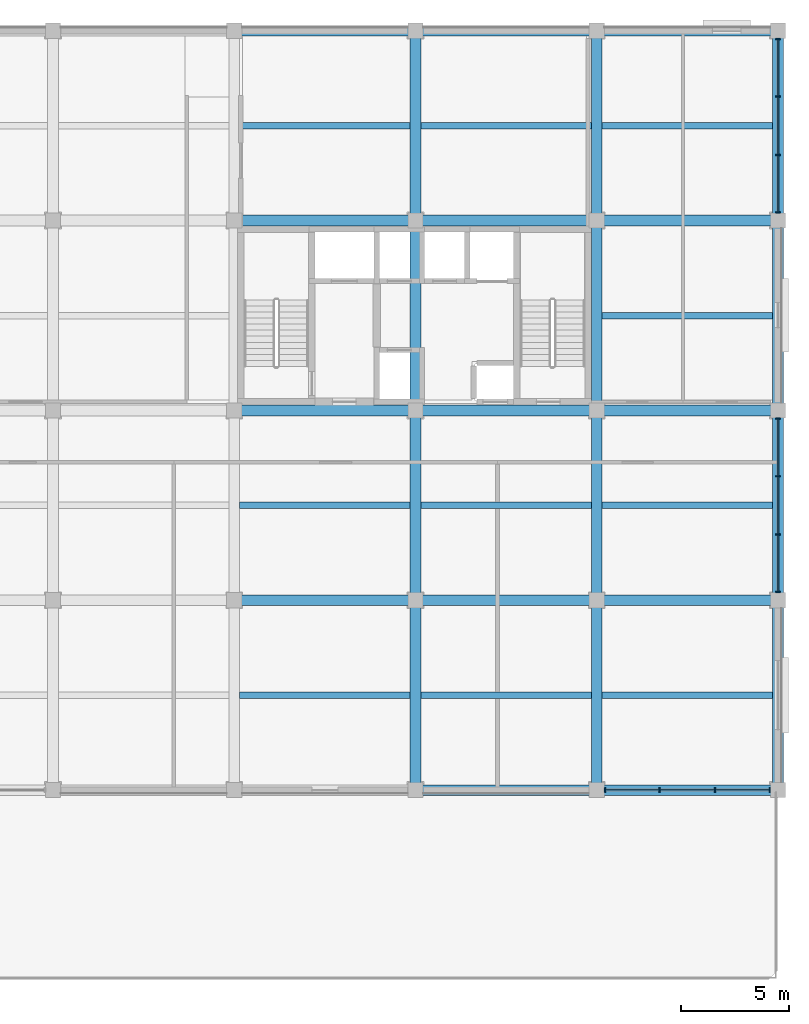
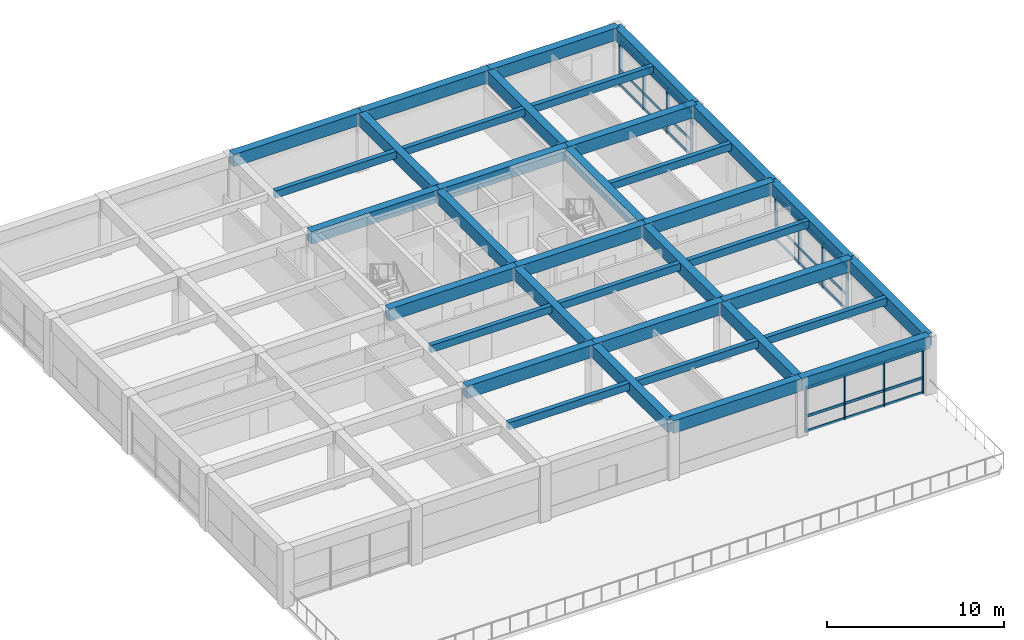
# One storey, part 3 of 8: 39 members, 36 beams, 3 elements without a shape of their own.
"""IFC4 building model written with IfcOpenShell, lengths in metres."""

import ifcopenshell
import ifcopenshell.guid

model = None  # the IFC model being written
_history = None  # IfcOwnerHistory: only IFC2X3 demands one
_inside = {}  # id of a spatial element -> (the spatial element, [elements in it])
_under = {}  # id of a project, library or spatial element -> (it, [spatial elements below it])
_declared = {}  # id of a project -> (the project, [libraries it declares])
_typed = {}  # id of a type object -> (the type object, [elements of that type])
_made_of = {}  # id of a material, layer set ... -> (it, [elements and type objects made of it])


def new_model(schema):
    """Start an empty IFC model of exactly this schema.

    Asked for "IFC4X3", IfcOpenShell would pick the latest addendum, in which some entities
    have other attributes; the version numbers below select the first issue.
    IFC2X3 requires an IfcOwnerHistory on every rooted entity: one is made here for all.
    """
    global model, _history
    if schema == "IFC4X3":
        model = ifcopenshell.file(schema_version=(4, 3, 0, 0))
    else:
        model = ifcopenshell.file(schema=schema)
    _inside.clear()
    _under.clear()
    _declared.clear()
    _typed.clear()
    _made_of.clear()
    _history = None
    if model.schema == "IFC2X3":
        org = make("IfcOrganization", Name="unknown")
        user = make(
            "IfcPersonAndOrganization",
            ThePerson=make("IfcPerson", FamilyName="unknown"),
            TheOrganization=org,
        )
        app = make(
            "IfcApplication",
            ApplicationDeveloper=org,
            Version="unknown",
            ApplicationFullName="unknown",
            ApplicationIdentifier="unknown",
        )
        _history = make(
            "IfcOwnerHistory",
            OwningUser=user,
            OwningApplication=app,
            ChangeAction="ADDED",
            CreationDate=0,
        )
    return model


def make(cls, **values):
    """One entity of the class cls with the attributes given. An attribute that is None is left unset."""
    return model.create_entity(
        cls, **{name: value for name, value in values.items() if value is not None}
    )


def rooted(cls, **values):
    """An entity with a GlobalId (a new one), such as an element, a storey or a relation."""
    return make(cls, GlobalId=ifcopenshell.guid.new(), OwnerHistory=_history, **values)


def si_unit(unit_type, name, prefix=None):
    """IfcSIUnit, for example si_unit("LENGTHUNIT", "METRE", prefix="MILLI")."""
    return make("IfcSIUnit", UnitType=unit_type, Prefix=prefix, Name=name)


def assignment(units):
    """IfcUnitAssignment: the units of a project."""
    return None if units is None else make("IfcUnitAssignment", Units=units)


def point(xyz):
    """IfcCartesianPoint."""
    return None if xyz is None else make("IfcCartesianPoint", Coordinates=xyz)


def direction(xyz):
    """IfcDirection."""
    return None if xyz is None else make("IfcDirection", DirectionRatios=xyz)


def frame(location, z_axis=None, x_axis=None):
    """IfcAxis2Placement3D, a coordinate frame: its origin and axes. An axis left out is left unset."""
    return make(
        "IfcAxis2Placement3D",
        Location=point(location),
        Axis=direction(z_axis),
        RefDirection=direction(x_axis),
    )


def frame_2d(location, x_axis=None):
    """IfcAxis2Placement2D, a coordinate frame in the plane: its origin and x axis."""
    return make(
        "IfcAxis2Placement2D", Location=point(location), RefDirection=direction(x_axis)
    )


def origin():
    """The frame at (0, 0, 0) with its axes left unset."""
    return frame((0.0, 0.0, 0.0))


def origin_2d():
    """The frame at (0, 0) in the plane with its x axis left unset."""
    return frame_2d((0.0, 0.0))


def place(relative_to, where):
    """IfcLocalPlacement: puts the frame where relative to a parent placement (None: the world)."""
    return make(
        "IfcLocalPlacement", PlacementRelTo=relative_to, RelativePlacement=where
    )


def context(
    kind, dimensions, precision=None, world=None, true_north=None, identifier=None
):
    """IfcGeometricRepresentationContext, for example the 3D "Model" context."""
    return make(
        "IfcGeometricRepresentationContext",
        ContextIdentifier=identifier,
        ContextType=kind,
        CoordinateSpaceDimension=dimensions,
        Precision=precision,
        WorldCoordinateSystem=world,
        TrueNorth=true_north,
    )


def subcontext(parent, identifier, kind, view, scale=None):
    """IfcGeometricRepresentationSubContext, for example "Body" below "Model"."""
    return make(
        "IfcGeometricRepresentationSubContext",
        ContextIdentifier=identifier,
        ContextType=kind,
        ParentContext=parent,
        TargetScale=scale,
        TargetView=view,
    )


def project(units=None, contexts=None):
    """IfcProject with its units and contexts."""
    return rooted(
        "IfcProject",
        Name="project",
        RepresentationContexts=contexts,
        UnitsInContext=assignment(units),
    )


def spatial(cls, under=None, at=None, **own):
    """A site, building, storey or space (cls), placed at a placement, below another one or the project."""
    s = rooted(cls, ObjectPlacement=at, **own)
    if under is not None:
        _under.setdefault(under.id(), (under, []))[1].append(s)
    return s


def profile(cls, at=None, kind="AREA", **sizes):
    """A parametric profile (cls). Its sizes go by their IFC names, for example OverallWidth=200.0."""
    return make(cls, ProfileType=kind, Position=at, **sizes)


def rectangle(**sizes):
    """IfcRectangleProfileDef."""
    return profile("IfcRectangleProfileDef", **sizes)


def extrude(swept, where, along, depth):
    """IfcExtrudedAreaSolid: the profile swept, set in the frame where, extruded along a direction by depth."""
    return make(
        "IfcExtrudedAreaSolid",
        SweptArea=swept,
        Position=where,
        ExtrudedDirection=direction(along),
        Depth=depth,
    )


def shape(context_of_items, identifier, shape_type, items):
    """IfcShapeRepresentation: the items that make up one representation, for example the "Body"."""
    return make(
        "IfcShapeRepresentation",
        ContextOfItems=context_of_items,
        RepresentationIdentifier=identifier,
        RepresentationType=shape_type,
        Items=items,
    )


def material(Name=None, Category=None):
    """IfcMaterial."""
    return make("IfcMaterial", Name=Name, Category=Category)


def material_profile(
    of_material, cross_section, Name=None, Category=None, Priority=None
):
    """IfcMaterialProfile: a cross section and its material."""
    return make(
        "IfcMaterialProfile",
        Name=Name,
        Material=of_material,
        Profile=cross_section,
        Priority=Priority,
        Category=Category,
    )


def profile_set(profiles, Name=None, composite=None):
    """IfcMaterialProfileSet."""
    return make(
        "IfcMaterialProfileSet",
        Name=Name,
        MaterialProfiles=profiles,
        CompositeProfile=composite,
    )


def made_of(thing, what):
    """Note that an element or type object is made of a material, layer set ...; save() writes the relation."""
    if what is not None:
        _made_of.setdefault(what.id(), (what, []))[1].append(thing)
    return thing


def type_object(cls, material=None, **own):
    """A type object (cls), such as IfcWallType, which elements share."""
    return made_of(rooted(cls, **own), material)


def element(
    cls,
    number,
    at=None,
    inside=None,
    cuts=None,
    type_object=None,
    material=None,
    context=None,
    identifier="Body",
    shape_type=None,
    held_by="IfcProductDefinitionShape",
    body=None,
    shapes=None,
    **own,
):
    """One element of the class cls, such as IfcWall. Its Tag is "e" and its number.

    at: its placement. inside: the storey or other place that contains it. cuts: it is an
    opening in that element (IfcRelVoidsElement). A single representation is given by context,
    identifier, shape_type and body (its items); several are given by shapes. held_by: the class
    of the entity that holds the representations. save() writes the other relations.
    """
    e = rooted(cls, Tag="e%d" % number, ObjectPlacement=at, **own)
    if body is not None:
        shapes = [shape(context, identifier, shape_type, body)]
    if shapes is not None:
        e.Representation = make(held_by, Representations=shapes)
    if inside is not None:
        _inside.setdefault(inside.id(), (inside, []))[1].append(e)
    if cuts is not None:
        rooted(
            "IfcRelVoidsElement", RelatingBuildingElement=cuts, RelatedOpeningElement=e
        )
    if type_object is not None:
        _typed.setdefault(type_object.id(), (type_object, []))[1].append(e)
    return made_of(e, material)


def aggregate(whole, parts):
    """IfcRelAggregates: a whole, such as a stair, and the parts it consists of."""
    return rooted("IfcRelAggregates", RelatingObject=whole, RelatedObjects=parts)


def save(model, path):
    """Write the relations noted so far, then the file.

    IfcRelAggregates (storeys below a building ...), IfcRelContainedInSpatialStructure (elements
    in a storey), IfcRelDefinesByType, IfcRelAssociatesMaterial and IfcRelDeclares: one each for
    every whole, place, type object, material and project.
    """
    for whole, parts in _under.values():
        aggregate(whole, parts)
    for where, things in _inside.values():
        rooted(
            "IfcRelContainedInSpatialStructure",
            RelatedElements=things,
            RelatingStructure=where,
        )
    for kind, things in _typed.values():
        rooted("IfcRelDefinesByType", RelatedObjects=things, RelatingType=kind)
    for what, things in _made_of.values():
        rooted("IfcRelAssociatesMaterial", RelatedObjects=things, RelatingMaterial=what)
    for by, libraries in _declared.values():
        rooted("IfcRelDeclares", RelatingContext=by, RelatedDefinitions=libraries)
    model.write(path)


model = new_model("IFC4")

# Units and contexts
model_context = context("Model", 3, precision=1e-05, world=origin(), true_north=direction((0.0, 1.0)))
body_context = subcontext(model_context, "Body", "Model", "MODEL_VIEW")
ifc_project = project(units=[si_unit("LENGTHUNIT", "METRE"), si_unit("AREAUNIT", "SQUARE_METRE"), si_unit("VOLUMEUNIT", "CUBIC_METRE"), si_unit("PLANEANGLEUNIT", "RADIAN"), si_unit("MASSUNIT", "GRAM", prefix="KILO")], contexts=[model_context])

# Site, building, storey
site_placement = place(None, origin())
site = spatial("IfcSite", under=ifc_project, at=site_placement, CompositionType="ELEMENT")
building_placement = place(site_placement, origin())
building = spatial("IfcBuilding", under=site, at=building_placement, Name="Kemercrest Conservatory and Botanical Centre", CompositionType="ELEMENT")
storey_placement = place(building_placement, frame((0.0, 0.0, 24.800048828125)))
storey = spatial("IfcBuildingStorey", under=building, at=storey_placement, Name="L06", CompositionType="ELEMENT", Elevation=24.800048828125)

# Beams
ifc_material_1 = material(Name="Concrete C50/60", Category="concrete")
ifc_material_profile_1 = material_profile(ifc_material_1, rectangle(XDim=0.5, YDim=0.85009765625, at=origin_2d()), Name="RC 500x850")
ifc_profile_set_1 = profile_set([ifc_material_profile_1], Name="Concrete C50/60")
beam_type_1 = type_object("IfcBeamType", Name="BM-RC85", PredefinedType="BEAM", material=ifc_profile_set_1)
beam_1_placement = place(storey_placement, frame((150.800048828125, 96.0, 3.574951171875), z_axis=(1.0, 0.0, 0.0), x_axis=(0.0, 1.0, 0.0)))
element("IfcBeam", 1, at=beam_1_placement, inside=storey, type_object=beam_type_1, Name="V4-L07 beam BM-RC85 L/18-19", PredefinedType="BEAM", context=body_context, shape_type="SweptSolid", body=[
    extrude(rectangle(XDim=0.5, YDim=0.85009765625, at=origin_2d()), origin(), (0.0, 0.0, 1.0), 8.39990234375),
])
beam_2_placement = place(storey_placement, frame((159.199951171875, 96.0, 3.574951171875), z_axis=(1.0, 0.0, 0.0), x_axis=(0.0, 1.0, 0.0)))
element("IfcBeam", 2, at=beam_2_placement, inside=storey, type_object=beam_type_1, Name="V4-L07 beam BM-RC85 L/19-20", PredefinedType="BEAM", context=body_context, shape_type="SweptSolid", body=[
    extrude(rectangle(XDim=0.5, YDim=0.85009765625, at=origin_2d()), origin(), (0.0, 0.0, 1.0), 8.400146484375),
])
for number, where, z_axis, x_axis, name in (
    (3, (167.60009765625, 96.0, 3.574951171875), (1.0, 0.0, 0.0), (0.0, 1.0, 0.0), "V4-L07 beam BM-RC85 L/20-21"),
    (4, (150.800048828125, 104.800048828125, 3.574951171875), (1.0, 0.0, 0.0), (0.0, 1.0, 0.0), "V4-L07 beam BM-RC85 M/18-19"),
):
    element("IfcBeam", number, at=place(storey_placement, frame(where, z_axis=z_axis, x_axis=x_axis)), inside=storey, type_object=beam_type_1, Name=name, PredefinedType="BEAM", context=body_context, shape_type="SweptSolid", body=[
        extrude(rectangle(XDim=0.5, YDim=0.85009765625, at=origin_2d()), origin(), (0.0, 0.0, 1.0), 8.39990234375),
    ])
beam_3_placement = place(storey_placement, frame((159.199951171875, 104.800048828125, 3.574951171875), z_axis=(1.0, 0.0, 0.0), x_axis=(0.0, 1.0, 0.0)))
element("IfcBeam", 5, at=beam_3_placement, inside=storey, type_object=beam_type_1, Name="V4-L07 beam BM-RC85 M/19-20", PredefinedType="BEAM", context=body_context, shape_type="SweptSolid", body=[
    extrude(rectangle(XDim=0.5, YDim=0.85009765625, at=origin_2d()), origin(), (0.0, 0.0, 1.0), 8.400146484375),
])
for number, where, z_axis, x_axis, name in (
    (6, (167.60009765625, 104.800048828125, 3.574951171875), (1.0, 0.0, 0.0), (0.0, 1.0, 0.0), "V4-L07 beam BM-RC85 M/20-21"),
    (7, (150.800048828125, 113.60009765625, 3.574951171875), (1.0, 0.0, 0.0), (0.0, 1.0, 0.0), "V4-L07 beam BM-RC85 N/18-19"),
):
    element("IfcBeam", number, at=place(storey_placement, frame(where, z_axis=z_axis, x_axis=x_axis)), inside=storey, type_object=beam_type_1, Name=name, PredefinedType="BEAM", context=body_context, shape_type="SweptSolid", body=[
        extrude(rectangle(XDim=0.5, YDim=0.85009765625, at=origin_2d()), origin(), (0.0, 0.0, 1.0), 8.39990234375),
    ])
beam_4_placement = place(storey_placement, frame((159.199951171875, 113.60009765625, 3.574951171875), z_axis=(1.0, 0.0, 0.0), x_axis=(0.0, 1.0, 0.0)))
element("IfcBeam", 8, at=beam_4_placement, inside=storey, type_object=beam_type_1, Name="V4-L07 beam BM-RC85 N/19-20", PredefinedType="BEAM", context=body_context, shape_type="SweptSolid", body=[
    extrude(rectangle(XDim=0.5, YDim=0.85009765625, at=origin_2d()), origin(), (0.0, 0.0, 1.0), 8.400146484375),
])
beam_5_placement = place(storey_placement, frame((167.60009765625, 113.60009765625, 3.574951171875), z_axis=(1.0, 0.0, 0.0), x_axis=(0.0, 1.0, 0.0)))
element("IfcBeam", 9, at=beam_5_placement, inside=storey, type_object=beam_type_1, Name="V4-L07 beam BM-RC85 N/20-21", PredefinedType="BEAM", context=body_context, shape_type="SweptSolid", body=[
    extrude(rectangle(XDim=0.5, YDim=0.85009765625, at=origin_2d()), origin(), (0.0, 0.0, 1.0), 8.39990234375),
])
for number, where, z_axis, x_axis, name in (
    (10, (159.199951171875, 87.199951171875, 3.574951171875), (0.0, 1.0, 0.0), (-1.0, 0.0, 0.0), "V4-L07 beam BM-RC85 19/K-L"),
    (11, (159.199951171875, 96.0, 3.574951171875), (0.0, 1.0, 0.0), (-1.0, 0.0, 0.0), "V4-L07 beam BM-RC85 19/L-M"),
    (12, (159.199951171875, 104.800048828125, 3.574951171875), (0.0, 1.0, 0.0), (-1.0, 0.0, 0.0), "V4-L07 beam BM-RC85 19/M-N"),
):
    element("IfcBeam", number, at=place(storey_placement, frame(where, z_axis=z_axis, x_axis=x_axis)), inside=storey, type_object=beam_type_1, Name=name, PredefinedType="BEAM", context=body_context, shape_type="SweptSolid", body=[
        extrude(rectangle(XDim=0.5, YDim=0.85009765625, at=origin_2d()), origin(), (0.0, 0.0, 1.0), 8.800048828125),
    ])
beam_6_placement = place(storey_placement, frame((159.199951171875, 113.60009765625, 3.574951171875), z_axis=(0.0, 1.0, 0.0), x_axis=(-1.0, 0.0, 0.0)))
element("IfcBeam", 13, at=beam_6_placement, inside=storey, type_object=beam_type_1, Name="V4-L07 beam BM-RC85 19/N-P", PredefinedType="BEAM", context=body_context, shape_type="SweptSolid", body=[
    extrude(rectangle(XDim=0.5, YDim=0.85009765625, at=origin_2d()), origin(), (0.0, 0.0, 1.0), 8.7998046875),
])
for number, where, z_axis, x_axis, name in (
    (14, (167.60009765625, 87.199951171875, 3.574951171875), (0.0, 1.0, 0.0), (-1.0, 0.0, 0.0), "V4-L07 beam BM-RC85 20/K-L"),
    (15, (167.60009765625, 96.0, 3.574951171875), (0.0, 1.0, 0.0), (-1.0, 0.0, 0.0), "V4-L07 beam BM-RC85 20/L-M"),
    (16, (167.60009765625, 104.800048828125, 3.574951171875), (0.0, 1.0, 0.0), (-1.0, 0.0, 0.0), "V4-L07 beam BM-RC85 20/M-N"),
):
    element("IfcBeam", number, at=place(storey_placement, frame(where, z_axis=z_axis, x_axis=x_axis)), inside=storey, type_object=beam_type_1, Name=name, PredefinedType="BEAM", context=body_context, shape_type="SweptSolid", body=[
        extrude(rectangle(XDim=0.5, YDim=0.85009765625, at=origin_2d()), origin(), (0.0, 0.0, 1.0), 8.800048828125),
    ])
beam_7_placement = place(storey_placement, frame((167.60009765625, 113.60009765625, 3.574951171875), z_axis=(0.0, 1.0, 0.0), x_axis=(-1.0, 0.0, 0.0)))
element("IfcBeam", 17, at=beam_7_placement, inside=storey, type_object=beam_type_1, Name="V4-L07 beam BM-RC85 20/N-P", PredefinedType="BEAM", context=body_context, shape_type="SweptSolid", body=[
    extrude(rectangle(XDim=0.5, YDim=0.85009765625, at=origin_2d()), origin(), (0.0, 0.0, 1.0), 8.7998046875),
])

# Curtain wall, members
ifc_material_2 = material(Name="Thermally broken aluminium and triple low-e glazing", Category="aluminium")
curtain_wall_type_1 = type_object("IfcCurtainWallType", Name="CW-24", PredefinedType="USERDEFINED", material=ifc_material_2)
curtain_wall_1_placement = place(storey_placement, origin())
curtain_wall_1 = element("IfcCurtainWall", 18, at=curtain_wall_1_placement, inside=storey, type_object=curtain_wall_type_1, Name="Unitised curtain wall CW-24 (CW:L06:V4-083)", ObjectType="UNITISED CURTAIN WALL", PredefinedType="USERDEFINED")
ifc_material_3 = material(Name="Thermally broken anodized aluminium 6063-T6", Category="aluminium")
ifc_material_profile_2 = material_profile(ifc_material_3, rectangle(XDim=0.199951171875, YDim=0.06494140625, at=origin_2d()), Name="AL MULLION 65x200")
ifc_profile_set_2 = profile_set([ifc_material_profile_2], Name="Thermally broken anodized aluminium 6063-T6")
member_type_1 = type_object("IfcMemberType", Name="CW-M200", PredefinedType="MULLION", material=ifc_profile_set_2)
member_1_placement = place(storey_placement, frame((167.9775390625, 87.199951171875, 0.0), z_axis=(0.0, 0.0, 1.0), x_axis=(0.0, 1.0, 0.0)))
member_1 = element("IfcMember", 19, at=member_1_placement, type_object=member_type_1, Name="CW-24 mullion 1", PredefinedType="MULLION", context=body_context, shape_type="SweptSolid", body=[
    extrude(rectangle(XDim=0.199951171875, YDim=0.06494140625, at=origin_2d()), origin(), (0.0, 0.0, 1.0), 3.155029296875),
])
member_2_placement = place(storey_placement, frame((170.514892578125, 87.199951171875, 0.0), z_axis=(0.0, 0.0, 1.0), x_axis=(0.0, 1.0, 0.0)))
member_2 = element("IfcMember", 20, at=member_2_placement, type_object=member_type_1, Name="CW-24 mullion 2", PredefinedType="MULLION", context=body_context, shape_type="SweptSolid", body=[
    extrude(rectangle(XDim=0.199951171875, YDim=0.06494140625, at=origin_2d()), origin(), (0.0, 0.0, 1.0), 3.155029296875),
])
member_3_placement = place(storey_placement, frame((173.0849609375, 87.199951171875, 0.0), z_axis=(0.0, 0.0, 1.0), x_axis=(0.0, 1.0, 0.0)))
member_3 = element("IfcMember", 21, at=member_3_placement, type_object=member_type_1, Name="CW-24 mullion 3", PredefinedType="MULLION", context=body_context, shape_type="SweptSolid", body=[
    extrude(rectangle(XDim=0.199951171875, YDim=0.06494140625, at=origin_2d()), origin(), (0.0, 0.0, 1.0), 3.155029296875),
])
member_4_placement = place(storey_placement, frame((175.62255859375, 87.199951171875, 0.0), z_axis=(0.0, 0.0, 1.0), x_axis=(0.0, 1.0, 0.0)))
member_4 = element("IfcMember", 22, at=member_4_placement, type_object=member_type_1, Name="CW-24 mullion 4", PredefinedType="MULLION", context=body_context, shape_type="SweptSolid", body=[
    extrude(rectangle(XDim=0.199951171875, YDim=0.06494140625, at=origin_2d()), origin(), (0.0, 0.0, 1.0), 3.155029296875),
])

curtain_wall_type_2 = type_object("IfcCurtainWallType", Name="CW-25", PredefinedType="USERDEFINED", material=ifc_material_2)
curtain_wall_2_placement = place(storey_placement, origin())
curtain_wall_2 = element("IfcCurtainWall", 23, at=curtain_wall_2_placement, inside=storey, type_object=curtain_wall_type_2, Name="Unitised curtain wall CW-25 (CW:L06:V4-084)", ObjectType="UNITISED CURTAIN WALL", PredefinedType="USERDEFINED")
member_5_placement = place(storey_placement, frame((176.0, 96.37744140625, 0.0), z_axis=(0.0, 0.0, 1.0), x_axis=(-1.0, 0.0, 0.0)))
member_5 = element("IfcMember", 24, at=member_5_placement, type_object=member_type_1, Name="CW-25 mullion 1", PredefinedType="MULLION", context=body_context, shape_type="SweptSolid", body=[
    extrude(rectangle(XDim=0.199951171875, YDim=0.06494140625, at=origin_2d()), origin(), (0.0, 0.0, 1.0), 3.155029296875),
])
member_6_placement = place(storey_placement, frame((176.0, 99.04833984375, 0.0), z_axis=(0.0, 0.0, 1.0), x_axis=(-1.0, 0.0, 0.0)))
member_6 = element("IfcMember", 25, at=member_6_placement, type_object=member_type_1, Name="CW-25 mullion 2", PredefinedType="MULLION", context=body_context, shape_type="SweptSolid", body=[
    extrude(rectangle(XDim=0.199951171875, YDim=0.06494140625, at=origin_2d()), origin(), (0.0, 0.0, 1.0), 3.155029296875),
])
member_7_placement = place(storey_placement, frame((176.0, 101.751708984375, 0.0), z_axis=(0.0, 0.0, 1.0), x_axis=(-1.0, 0.0, 0.0)))
member_7 = element("IfcMember", 26, at=member_7_placement, type_object=member_type_1, Name="CW-25 mullion 3", PredefinedType="MULLION", context=body_context, shape_type="SweptSolid", body=[
    extrude(rectangle(XDim=0.199951171875, YDim=0.06494140625, at=origin_2d()), origin(), (0.0, 0.0, 1.0), 3.155029296875),
])
member_8_placement = place(storey_placement, frame((176.0, 104.422607421875, 0.0), z_axis=(0.0, 0.0, 1.0), x_axis=(-1.0, 0.0, 0.0)))
member_8 = element("IfcMember", 27, at=member_8_placement, type_object=member_type_1, Name="CW-25 mullion 4", PredefinedType="MULLION", context=body_context, shape_type="SweptSolid", body=[
    extrude(rectangle(XDim=0.199951171875, YDim=0.06494140625, at=origin_2d()), origin(), (0.0, 0.0, 1.0), 3.155029296875),
])

curtain_wall_type_3 = type_object("IfcCurtainWallType", Name="CW-26", PredefinedType="USERDEFINED", material=ifc_material_2)
curtain_wall_3_placement = place(storey_placement, origin())
curtain_wall_3 = element("IfcCurtainWall", 28, at=curtain_wall_3_placement, inside=storey, type_object=curtain_wall_type_3, Name="Unitised curtain wall CW-26 (CW:L06:V4-085)", ObjectType="UNITISED CURTAIN WALL", PredefinedType="USERDEFINED")
member_9_placement = place(storey_placement, frame((176.0, 113.9775390625, 0.0), z_axis=(0.0, 0.0, 1.0), x_axis=(-1.0, 0.0, 0.0)))
member_9 = element("IfcMember", 29, at=member_9_placement, type_object=member_type_1, Name="CW-26 mullion 1", PredefinedType="MULLION", context=body_context, shape_type="SweptSolid", body=[
    extrude(rectangle(XDim=0.199951171875, YDim=0.06494140625, at=origin_2d()), origin(), (0.0, 0.0, 1.0), 3.155029296875),
])
member_10_placement = place(storey_placement, frame((176.0, 116.6484375, 0.0), z_axis=(0.0, 0.0, 1.0), x_axis=(-1.0, 0.0, 0.0)))
member_10 = element("IfcMember", 30, at=member_10_placement, type_object=member_type_1, Name="CW-26 mullion 2", PredefinedType="MULLION", context=body_context, shape_type="SweptSolid", body=[
    extrude(rectangle(XDim=0.199951171875, YDim=0.06494140625, at=origin_2d()), origin(), (0.0, 0.0, 1.0), 3.155029296875),
])
member_11_placement = place(storey_placement, frame((176.0, 119.3515625, 0.0), z_axis=(0.0, 0.0, 1.0), x_axis=(-1.0, 0.0, 0.0)))
member_11 = element("IfcMember", 31, at=member_11_placement, type_object=member_type_1, Name="CW-26 mullion 3", PredefinedType="MULLION", context=body_context, shape_type="SweptSolid", body=[
    extrude(rectangle(XDim=0.199951171875, YDim=0.06494140625, at=origin_2d()), origin(), (0.0, 0.0, 1.0), 3.155029296875),
])
member_12_placement = place(storey_placement, frame((176.0, 122.0224609375, 0.0), z_axis=(0.0, 0.0, 1.0), x_axis=(-1.0, 0.0, 0.0)))
member_12 = element("IfcMember", 32, at=member_12_placement, type_object=member_type_1, Name="CW-26 mullion 4", PredefinedType="MULLION", context=body_context, shape_type="SweptSolid", body=[
    extrude(rectangle(XDim=0.199951171875, YDim=0.06494140625, at=origin_2d()), origin(), (0.0, 0.0, 1.0), 3.155029296875),
])

# Member
ifc_material_profile_3 = material_profile(ifc_material_3, rectangle(XDim=0.074951171875, YDim=0.179931640625, at=origin_2d()), Name="AL TRANSOM 75x180")
ifc_profile_set_3 = profile_set([ifc_material_profile_3], Name="Thermally broken anodized aluminium 6063-T6")
member_type_2 = type_object("IfcMemberType", Name="CW-T180", PredefinedType="USERDEFINED", material=ifc_profile_set_3)
member_13_placement = place(storey_placement, frame((168.010009765625, 87.199951171875, 0.08984375), z_axis=(1.0, 0.0, 0.0), x_axis=(0.0, 1.0, 0.0)))
member_13 = element("IfcMember", 33, at=member_13_placement, type_object=member_type_2, Name="CW-24 transom 1.1", ObjectType="TRANSOM", PredefinedType="USERDEFINED", context=body_context, shape_type="SweptSolid", body=[
    extrude(rectangle(XDim=0.074951171875, YDim=0.179931640625, at=origin_2d()), origin(), (0.0, 0.0, 1.0), 2.472412109375),
])

member_14_placement = place(storey_placement, frame((168.010009765625, 87.199951171875, 1.119873046875), z_axis=(1.0, 0.0, 0.0), x_axis=(0.0, 1.0, 0.0)))
member_14 = element("IfcMember", 34, at=member_14_placement, type_object=member_type_2, Name="CW-24 transom 1.2", ObjectType="TRANSOM", PredefinedType="USERDEFINED", context=body_context, shape_type="SweptSolid", body=[
    extrude(rectangle(XDim=0.074951171875, YDim=0.179931640625, at=origin_2d()), origin(), (0.0, 0.0, 1.0), 2.472412109375),
])

member_15_placement = place(storey_placement, frame((168.010009765625, 87.199951171875, 3.06494140625), z_axis=(1.0, 0.0, 0.0), x_axis=(0.0, 1.0, 0.0)))
member_15 = element("IfcMember", 35, at=member_15_placement, type_object=member_type_2, Name="CW-24 transom 1.3", ObjectType="TRANSOM", PredefinedType="USERDEFINED", context=body_context, shape_type="SweptSolid", body=[
    extrude(rectangle(XDim=0.074951171875, YDim=0.179931640625, at=origin_2d()), origin(), (0.0, 0.0, 1.0), 2.472412109375),
])

member_16_placement = place(storey_placement, frame((170.547607421875, 87.199951171875, 0.08984375), z_axis=(1.0, 0.0, 0.0), x_axis=(0.0, 1.0, 0.0)))
member_16 = element("IfcMember", 36, at=member_16_placement, type_object=member_type_2, Name="CW-24 transom 2.1", ObjectType="TRANSOM", PredefinedType="USERDEFINED", context=body_context, shape_type="SweptSolid", body=[
    extrude(rectangle(XDim=0.074951171875, YDim=0.179931640625, at=origin_2d()), origin(), (0.0, 0.0, 1.0), 2.5048828125),
])

member_17_placement = place(storey_placement, frame((170.547607421875, 87.199951171875, 1.119873046875), z_axis=(1.0, 0.0, 0.0), x_axis=(0.0, 1.0, 0.0)))
member_17 = element("IfcMember", 37, at=member_17_placement, type_object=member_type_2, Name="CW-24 transom 2.2", ObjectType="TRANSOM", PredefinedType="USERDEFINED", context=body_context, shape_type="SweptSolid", body=[
    extrude(rectangle(XDim=0.074951171875, YDim=0.179931640625, at=origin_2d()), origin(), (0.0, 0.0, 1.0), 2.5048828125),
])

member_18_placement = place(storey_placement, frame((170.547607421875, 87.199951171875, 3.06494140625), z_axis=(1.0, 0.0, 0.0), x_axis=(0.0, 1.0, 0.0)))
member_18 = element("IfcMember", 38, at=member_18_placement, type_object=member_type_2, Name="CW-24 transom 2.3", ObjectType="TRANSOM", PredefinedType="USERDEFINED", context=body_context, shape_type="SweptSolid", body=[
    extrude(rectangle(XDim=0.074951171875, YDim=0.179931640625, at=origin_2d()), origin(), (0.0, 0.0, 1.0), 2.5048828125),
])

member_19_placement = place(storey_placement, frame((173.117431640625, 87.199951171875, 0.08984375), z_axis=(1.0, 0.0, 0.0), x_axis=(0.0, 1.0, 0.0)))
member_19 = element("IfcMember", 39, at=member_19_placement, type_object=member_type_2, Name="CW-24 transom 3.1", ObjectType="TRANSOM", PredefinedType="USERDEFINED", context=body_context, shape_type="SweptSolid", body=[
    extrude(rectangle(XDim=0.074951171875, YDim=0.179931640625, at=origin_2d()), origin(), (0.0, 0.0, 1.0), 2.47265625),
])

member_20_placement = place(storey_placement, frame((173.117431640625, 87.199951171875, 1.119873046875), z_axis=(1.0, 0.0, 0.0), x_axis=(0.0, 1.0, 0.0)))
member_20 = element("IfcMember", 40, at=member_20_placement, type_object=member_type_2, Name="CW-24 transom 3.2", ObjectType="TRANSOM", PredefinedType="USERDEFINED", context=body_context, shape_type="SweptSolid", body=[
    extrude(rectangle(XDim=0.074951171875, YDim=0.179931640625, at=origin_2d()), origin(), (0.0, 0.0, 1.0), 2.47265625),
])

member_21_placement = place(storey_placement, frame((173.117431640625, 87.199951171875, 3.06494140625), z_axis=(1.0, 0.0, 0.0), x_axis=(0.0, 1.0, 0.0)))
member_21 = element("IfcMember", 41, at=member_21_placement, type_object=member_type_2, Name="CW-24 transom 3.3", ObjectType="TRANSOM", PredefinedType="USERDEFINED", context=body_context, shape_type="SweptSolid", body=[
    extrude(rectangle(XDim=0.074951171875, YDim=0.179931640625, at=origin_2d()), origin(), (0.0, 0.0, 1.0), 2.47265625),
])

aggregate(curtain_wall_1, [member_1, member_2, member_3, member_4, member_13, member_14, member_15, member_16, member_17, member_18, member_19, member_20, member_21])

member_22_placement = place(storey_placement, frame((176.0, 96.409912109375, 0.08984375), z_axis=(0.0, 1.0, 0.0), x_axis=(-1.0, 0.0, 0.0)))
member_22 = element("IfcMember", 42, at=member_22_placement, type_object=member_type_2, Name="CW-25 transom 1.1", ObjectType="TRANSOM", PredefinedType="USERDEFINED", context=body_context, shape_type="SweptSolid", body=[
    extrude(rectangle(XDim=0.074951171875, YDim=0.179931640625, at=origin_2d()), origin(), (0.0, 0.0, 1.0), 2.60595703125),
])

member_23_placement = place(storey_placement, frame((176.0, 96.409912109375, 1.119873046875), z_axis=(0.0, 1.0, 0.0), x_axis=(-1.0, 0.0, 0.0)))
member_23 = element("IfcMember", 43, at=member_23_placement, type_object=member_type_2, Name="CW-25 transom 1.2", ObjectType="TRANSOM", PredefinedType="USERDEFINED", context=body_context, shape_type="SweptSolid", body=[
    extrude(rectangle(XDim=0.074951171875, YDim=0.179931640625, at=origin_2d()), origin(), (0.0, 0.0, 1.0), 2.60595703125),
])

member_24_placement = place(storey_placement, frame((176.0, 96.409912109375, 3.06494140625), z_axis=(0.0, 1.0, 0.0), x_axis=(-1.0, 0.0, 0.0)))
member_24 = element("IfcMember", 44, at=member_24_placement, type_object=member_type_2, Name="CW-25 transom 1.3", ObjectType="TRANSOM", PredefinedType="USERDEFINED", context=body_context, shape_type="SweptSolid", body=[
    extrude(rectangle(XDim=0.074951171875, YDim=0.179931640625, at=origin_2d()), origin(), (0.0, 0.0, 1.0), 2.60595703125),
])

member_25_placement = place(storey_placement, frame((176.0, 99.080810546875, 0.08984375), z_axis=(0.0, 1.0, 0.0), x_axis=(-1.0, 0.0, 0.0)))
member_25 = element("IfcMember", 45, at=member_25_placement, type_object=member_type_2, Name="CW-25 transom 2.1", ObjectType="TRANSOM", PredefinedType="USERDEFINED", context=body_context, shape_type="SweptSolid", body=[
    extrude(rectangle(XDim=0.074951171875, YDim=0.179931640625, at=origin_2d()), origin(), (0.0, 0.0, 1.0), 2.638427734375),
])

member_26_placement = place(storey_placement, frame((176.0, 99.080810546875, 1.119873046875), z_axis=(0.0, 1.0, 0.0), x_axis=(-1.0, 0.0, 0.0)))
member_26 = element("IfcMember", 46, at=member_26_placement, type_object=member_type_2, Name="CW-25 transom 2.2", ObjectType="TRANSOM", PredefinedType="USERDEFINED", context=body_context, shape_type="SweptSolid", body=[
    extrude(rectangle(XDim=0.074951171875, YDim=0.179931640625, at=origin_2d()), origin(), (0.0, 0.0, 1.0), 2.638427734375),
])

member_27_placement = place(storey_placement, frame((176.0, 99.080810546875, 3.06494140625), z_axis=(0.0, 1.0, 0.0), x_axis=(-1.0, 0.0, 0.0)))
member_27 = element("IfcMember", 47, at=member_27_placement, type_object=member_type_2, Name="CW-25 transom 2.3", ObjectType="TRANSOM", PredefinedType="USERDEFINED", context=body_context, shape_type="SweptSolid", body=[
    extrude(rectangle(XDim=0.074951171875, YDim=0.179931640625, at=origin_2d()), origin(), (0.0, 0.0, 1.0), 2.638427734375),
])

member_28_placement = place(storey_placement, frame((176.0, 101.7841796875, 0.08984375), z_axis=(0.0, 1.0, 0.0), x_axis=(-1.0, 0.0, 0.0)))
member_28 = element("IfcMember", 48, at=member_28_placement, type_object=member_type_2, Name="CW-25 transom 3.1", ObjectType="TRANSOM", PredefinedType="USERDEFINED", context=body_context, shape_type="SweptSolid", body=[
    extrude(rectangle(XDim=0.074951171875, YDim=0.179931640625, at=origin_2d()), origin(), (0.0, 0.0, 1.0), 2.605712890625),
])

member_29_placement = place(storey_placement, frame((176.0, 101.7841796875, 1.119873046875), z_axis=(0.0, 1.0, 0.0), x_axis=(-1.0, 0.0, 0.0)))
member_29 = element("IfcMember", 49, at=member_29_placement, type_object=member_type_2, Name="CW-25 transom 3.2", ObjectType="TRANSOM", PredefinedType="USERDEFINED", context=body_context, shape_type="SweptSolid", body=[
    extrude(rectangle(XDim=0.074951171875, YDim=0.179931640625, at=origin_2d()), origin(), (0.0, 0.0, 1.0), 2.605712890625),
])

member_30_placement = place(storey_placement, frame((176.0, 101.7841796875, 3.06494140625), z_axis=(0.0, 1.0, 0.0), x_axis=(-1.0, 0.0, 0.0)))
member_30 = element("IfcMember", 50, at=member_30_placement, type_object=member_type_2, Name="CW-25 transom 3.3", ObjectType="TRANSOM", PredefinedType="USERDEFINED", context=body_context, shape_type="SweptSolid", body=[
    extrude(rectangle(XDim=0.074951171875, YDim=0.179931640625, at=origin_2d()), origin(), (0.0, 0.0, 1.0), 2.605712890625),
])

aggregate(curtain_wall_2, [member_5, member_6, member_7, member_8, member_22, member_23, member_24, member_25, member_26, member_27, member_28, member_29, member_30])

member_31_placement = place(storey_placement, frame((176.0, 114.010009765625, 0.08984375), z_axis=(0.0, 1.0, 0.0), x_axis=(-1.0, 0.0, 0.0)))
member_31 = element("IfcMember", 51, at=member_31_placement, type_object=member_type_2, Name="CW-26 transom 1.1", ObjectType="TRANSOM", PredefinedType="USERDEFINED", context=body_context, shape_type="SweptSolid", body=[
    extrude(rectangle(XDim=0.074951171875, YDim=0.179931640625, at=origin_2d()), origin(), (0.0, 0.0, 1.0), 2.605712890625),
])

member_32_placement = place(storey_placement, frame((176.0, 114.010009765625, 1.119873046875), z_axis=(0.0, 1.0, 0.0), x_axis=(-1.0, 0.0, 0.0)))
member_32 = element("IfcMember", 52, at=member_32_placement, type_object=member_type_2, Name="CW-26 transom 1.2", ObjectType="TRANSOM", PredefinedType="USERDEFINED", context=body_context, shape_type="SweptSolid", body=[
    extrude(rectangle(XDim=0.074951171875, YDim=0.179931640625, at=origin_2d()), origin(), (0.0, 0.0, 1.0), 2.605712890625),
])

member_33_placement = place(storey_placement, frame((176.0, 114.010009765625, 3.06494140625), z_axis=(0.0, 1.0, 0.0), x_axis=(-1.0, 0.0, 0.0)))
member_33 = element("IfcMember", 53, at=member_33_placement, type_object=member_type_2, Name="CW-26 transom 1.3", ObjectType="TRANSOM", PredefinedType="USERDEFINED", context=body_context, shape_type="SweptSolid", body=[
    extrude(rectangle(XDim=0.074951171875, YDim=0.179931640625, at=origin_2d()), origin(), (0.0, 0.0, 1.0), 2.605712890625),
])

member_34_placement = place(storey_placement, frame((176.0, 116.680908203125, 0.08984375), z_axis=(0.0, 1.0, 0.0), x_axis=(-1.0, 0.0, 0.0)))
member_34 = element("IfcMember", 54, at=member_34_placement, type_object=member_type_2, Name="CW-26 transom 2.1", ObjectType="TRANSOM", PredefinedType="USERDEFINED", context=body_context, shape_type="SweptSolid", body=[
    extrude(rectangle(XDim=0.074951171875, YDim=0.179931640625, at=origin_2d()), origin(), (0.0, 0.0, 1.0), 2.63818359375),
])

member_35_placement = place(storey_placement, frame((176.0, 116.680908203125, 1.119873046875), z_axis=(0.0, 1.0, 0.0), x_axis=(-1.0, 0.0, 0.0)))
member_35 = element("IfcMember", 55, at=member_35_placement, type_object=member_type_2, Name="CW-26 transom 2.2", ObjectType="TRANSOM", PredefinedType="USERDEFINED", context=body_context, shape_type="SweptSolid", body=[
    extrude(rectangle(XDim=0.074951171875, YDim=0.179931640625, at=origin_2d()), origin(), (0.0, 0.0, 1.0), 2.63818359375),
])

member_36_placement = place(storey_placement, frame((176.0, 116.680908203125, 3.06494140625), z_axis=(0.0, 1.0, 0.0), x_axis=(-1.0, 0.0, 0.0)))
member_36 = element("IfcMember", 56, at=member_36_placement, type_object=member_type_2, Name="CW-26 transom 2.3", ObjectType="TRANSOM", PredefinedType="USERDEFINED", context=body_context, shape_type="SweptSolid", body=[
    extrude(rectangle(XDim=0.074951171875, YDim=0.179931640625, at=origin_2d()), origin(), (0.0, 0.0, 1.0), 2.63818359375),
])

member_37_placement = place(storey_placement, frame((176.0, 119.38427734375, 0.08984375), z_axis=(0.0, 1.0, 0.0), x_axis=(-1.0, 0.0, 0.0)))
member_37 = element("IfcMember", 57, at=member_37_placement, type_object=member_type_2, Name="CW-26 transom 3.1", ObjectType="TRANSOM", PredefinedType="USERDEFINED", context=body_context, shape_type="SweptSolid", body=[
    extrude(rectangle(XDim=0.074951171875, YDim=0.179931640625, at=origin_2d()), origin(), (0.0, 0.0, 1.0), 2.605712890625),
])

member_38_placement = place(storey_placement, frame((176.0, 119.38427734375, 1.119873046875), z_axis=(0.0, 1.0, 0.0), x_axis=(-1.0, 0.0, 0.0)))
member_38 = element("IfcMember", 58, at=member_38_placement, type_object=member_type_2, Name="CW-26 transom 3.2", ObjectType="TRANSOM", PredefinedType="USERDEFINED", context=body_context, shape_type="SweptSolid", body=[
    extrude(rectangle(XDim=0.074951171875, YDim=0.179931640625, at=origin_2d()), origin(), (0.0, 0.0, 1.0), 2.605712890625),
])

member_39_placement = place(storey_placement, frame((176.0, 119.38427734375, 3.06494140625), z_axis=(0.0, 1.0, 0.0), x_axis=(-1.0, 0.0, 0.0)))
member_39 = element("IfcMember", 59, at=member_39_placement, type_object=member_type_2, Name="CW-26 transom 3.3", ObjectType="TRANSOM", PredefinedType="USERDEFINED", context=body_context, shape_type="SweptSolid", body=[
    extrude(rectangle(XDim=0.074951171875, YDim=0.179931640625, at=origin_2d()), origin(), (0.0, 0.0, 1.0), 2.605712890625),
])

aggregate(curtain_wall_3, [member_9, member_10, member_11, member_12, member_31, member_32, member_33, member_34, member_35, member_36, member_37, member_38, member_39])

# Beams
ifc_material_4 = material(Name="Concrete C40/50", Category="concrete")
ifc_material_profile_4 = material_profile(ifc_material_4, rectangle(XDim=0.300048828125, YDim=0.5, at=origin_2d()), Name="RC 300x500")
ifc_profile_set_4 = profile_set([ifc_material_profile_4], Name="Concrete C40/50")
beam_type_2 = type_object("IfcBeamType", Name="JS-RC50", PredefinedType="JOIST", material=ifc_profile_set_4)
beam_8_placement = place(storey_placement, frame((151.050048828125, 91.60009765625, 3.75), z_axis=(1.0, 0.0, 0.0), x_axis=(0.0, 1.0, 0.0)))
element("IfcBeam", 60, at=beam_8_placement, inside=storey, type_object=beam_type_2, Name="V4-L07 secondary joist JS-RC50", PredefinedType="JOIST", context=body_context, shape_type="SweptSolid", body=[
    extrude(rectangle(XDim=0.300048828125, YDim=0.5, at=origin_2d()), origin(), (0.0, 0.0, 1.0), 7.89990234375),
])
beam_9_placement = place(storey_placement, frame((159.449951171875, 91.60009765625, 3.75), z_axis=(1.0, 0.0, 0.0), x_axis=(0.0, 1.0, 0.0)))
element("IfcBeam", 61, at=beam_9_placement, inside=storey, type_object=beam_type_2, Name="V4-L07 secondary joist JS-RC50", PredefinedType="JOIST", context=body_context, shape_type="SweptSolid", body=[
    extrude(rectangle(XDim=0.300048828125, YDim=0.5, at=origin_2d()), origin(), (0.0, 0.0, 1.0), 7.900146484375),
])
for number, where, z_axis, x_axis, name in (
    (62, (167.85009765625, 91.60009765625, 3.75), (1.0, 0.0, 0.0), (0.0, 1.0, 0.0), "V4-L07 secondary joist JS-RC50"),
    (63, (151.050048828125, 100.39990234375, 3.75), (1.0, 0.0, 0.0), (0.0, 1.0, 0.0), "V4-L07 secondary joist JS-RC50"),
):
    element("IfcBeam", number, at=place(storey_placement, frame(where, z_axis=z_axis, x_axis=x_axis)), inside=storey, type_object=beam_type_2, Name=name, PredefinedType="JOIST", context=body_context, shape_type="SweptSolid", body=[
        extrude(rectangle(XDim=0.300048828125, YDim=0.5, at=origin_2d()), origin(), (0.0, 0.0, 1.0), 7.89990234375),
    ])
beam_10_placement = place(storey_placement, frame((159.449951171875, 100.39990234375, 3.75), z_axis=(1.0, 0.0, 0.0), x_axis=(0.0, 1.0, 0.0)))
element("IfcBeam", 64, at=beam_10_placement, inside=storey, type_object=beam_type_2, Name="V4-L07 secondary joist JS-RC50", PredefinedType="JOIST", context=body_context, shape_type="SweptSolid", body=[
    extrude(rectangle(XDim=0.300048828125, YDim=0.5, at=origin_2d()), origin(), (0.0, 0.0, 1.0), 7.900146484375),
])
for number, where, z_axis, x_axis, name in (
    (65, (167.85009765625, 100.39990234375, 3.75), (1.0, 0.0, 0.0), (0.0, 1.0, 0.0), "V4-L07 secondary joist JS-RC50"),
    (66, (167.85009765625, 109.199951171875, 3.75), (1.0, 0.0, 0.0), (0.0, 1.0, 0.0), "V4-L07 secondary joist JS-RC50"),
    (67, (151.050048828125, 118.0, 3.75), (1.0, 0.0, 0.0), (0.0, 1.0, 0.0), "V4-L07 secondary joist JS-RC50"),
):
    element("IfcBeam", number, at=place(storey_placement, frame(where, z_axis=z_axis, x_axis=x_axis)), inside=storey, type_object=beam_type_2, Name=name, PredefinedType="JOIST", context=body_context, shape_type="SweptSolid", body=[
        extrude(rectangle(XDim=0.300048828125, YDim=0.5, at=origin_2d()), origin(), (0.0, 0.0, 1.0), 7.89990234375),
    ])
beam_11_placement = place(storey_placement, frame((159.449951171875, 118.0, 3.75), z_axis=(1.0, 0.0, 0.0), x_axis=(0.0, 1.0, 0.0)))
element("IfcBeam", 68, at=beam_11_placement, inside=storey, type_object=beam_type_2, Name="V4-L07 secondary joist JS-RC50", PredefinedType="JOIST", context=body_context, shape_type="SweptSolid", body=[
    extrude(rectangle(XDim=0.300048828125, YDim=0.5, at=origin_2d()), origin(), (0.0, 0.0, 1.0), 7.900146484375),
])
beam_12_placement = place(storey_placement, frame((167.85009765625, 118.0, 3.75), z_axis=(1.0, 0.0, 0.0), x_axis=(0.0, 1.0, 0.0)))
element("IfcBeam", 69, at=beam_12_placement, inside=storey, type_object=beam_type_2, Name="V4-L07 secondary joist JS-RC50", PredefinedType="JOIST", context=body_context, shape_type="SweptSolid", body=[
    extrude(rectangle(XDim=0.300048828125, YDim=0.5, at=origin_2d()), origin(), (0.0, 0.0, 1.0), 7.89990234375),
])
ifc_material_profile_5 = material_profile(ifc_material_1, rectangle(XDim=0.5, YDim=0.85009765625, at=origin_2d()), Name="RC 500x850")
ifc_profile_set_5 = profile_set([ifc_material_profile_5], Name="Concrete C50/60")
beam_type_3 = type_object("IfcBeamType", Name="SP-RC85", PredefinedType="SPANDREL", material=ifc_profile_set_5)
beam_13_placement = place(storey_placement, frame((159.199951171875, 87.199951171875, 3.574951171875), z_axis=(1.0, 0.0, 0.0), x_axis=(0.0, 1.0, 0.0)))
element("IfcBeam", 70, at=beam_13_placement, inside=storey, type_object=beam_type_3, Name="V4-L07 beam SP-RC85 K/19-20", PredefinedType="SPANDREL", context=body_context, shape_type="SweptSolid", body=[
    extrude(rectangle(XDim=0.5, YDim=0.85009765625, at=origin_2d()), origin(), (0.0, 0.0, 1.0), 8.400146484375),
])
for number, where, z_axis, x_axis, name in (
    (71, (167.60009765625, 87.199951171875, 3.574951171875), (1.0, 0.0, 0.0), (0.0, 1.0, 0.0), "V4-L07 beam SP-RC85 K/20-21"),
    (72, (150.800048828125, 122.39990234375, 3.574951171875), (1.0, 0.0, 0.0), (0.0, 1.0, 0.0), "V4-L07 beam SP-RC85 P/18-19"),
):
    element("IfcBeam", number, at=place(storey_placement, frame(where, z_axis=z_axis, x_axis=x_axis)), inside=storey, type_object=beam_type_3, Name=name, PredefinedType="SPANDREL", context=body_context, shape_type="SweptSolid", body=[
        extrude(rectangle(XDim=0.5, YDim=0.85009765625, at=origin_2d()), origin(), (0.0, 0.0, 1.0), 8.39990234375),
    ])
beam_14_placement = place(storey_placement, frame((159.199951171875, 122.39990234375, 3.574951171875), z_axis=(1.0, 0.0, 0.0), x_axis=(0.0, 1.0, 0.0)))
element("IfcBeam", 73, at=beam_14_placement, inside=storey, type_object=beam_type_3, Name="V4-L07 beam SP-RC85 P/19-20", PredefinedType="SPANDREL", context=body_context, shape_type="SweptSolid", body=[
    extrude(rectangle(XDim=0.5, YDim=0.85009765625, at=origin_2d()), origin(), (0.0, 0.0, 1.0), 8.400146484375),
])
beam_15_placement = place(storey_placement, frame((167.60009765625, 122.39990234375, 3.574951171875), z_axis=(1.0, 0.0, 0.0), x_axis=(0.0, 1.0, 0.0)))
element("IfcBeam", 74, at=beam_15_placement, inside=storey, type_object=beam_type_3, Name="V4-L07 beam SP-RC85 P/20-21", PredefinedType="SPANDREL", context=body_context, shape_type="SweptSolid", body=[
    extrude(rectangle(XDim=0.5, YDim=0.85009765625, at=origin_2d()), origin(), (0.0, 0.0, 1.0), 8.39990234375),
])
for number, where, z_axis, x_axis, name in (
    (75, (176.0, 87.199951171875, 3.574951171875), (0.0, 1.0, 0.0), (-1.0, 0.0, 0.0), "V4-L07 beam SP-RC85 21/K-L"),
    (76, (176.0, 96.0, 3.574951171875), (0.0, 1.0, 0.0), (-1.0, 0.0, 0.0), "V4-L07 beam SP-RC85 21/L-M"),
    (77, (176.0, 104.800048828125, 3.574951171875), (0.0, 1.0, 0.0), (-1.0, 0.0, 0.0), "V4-L07 beam SP-RC85 21/M-N"),
):
    element("IfcBeam", number, at=place(storey_placement, frame(where, z_axis=z_axis, x_axis=x_axis)), inside=storey, type_object=beam_type_3, Name=name, PredefinedType="SPANDREL", context=body_context, shape_type="SweptSolid", body=[
        extrude(rectangle(XDim=0.5, YDim=0.85009765625, at=origin_2d()), origin(), (0.0, 0.0, 1.0), 8.800048828125),
    ])
beam_16_placement = place(storey_placement, frame((176.0, 113.60009765625, 3.574951171875), z_axis=(0.0, 1.0, 0.0), x_axis=(-1.0, 0.0, 0.0)))
element("IfcBeam", 78, at=beam_16_placement, inside=storey, type_object=beam_type_3, Name="V4-L07 beam SP-RC85 21/N-P", PredefinedType="SPANDREL", context=body_context, shape_type="SweptSolid", body=[
    extrude(rectangle(XDim=0.5, YDim=0.85009765625, at=origin_2d()), origin(), (0.0, 0.0, 1.0), 8.7998046875),
])

save(model, "model.ifc")
